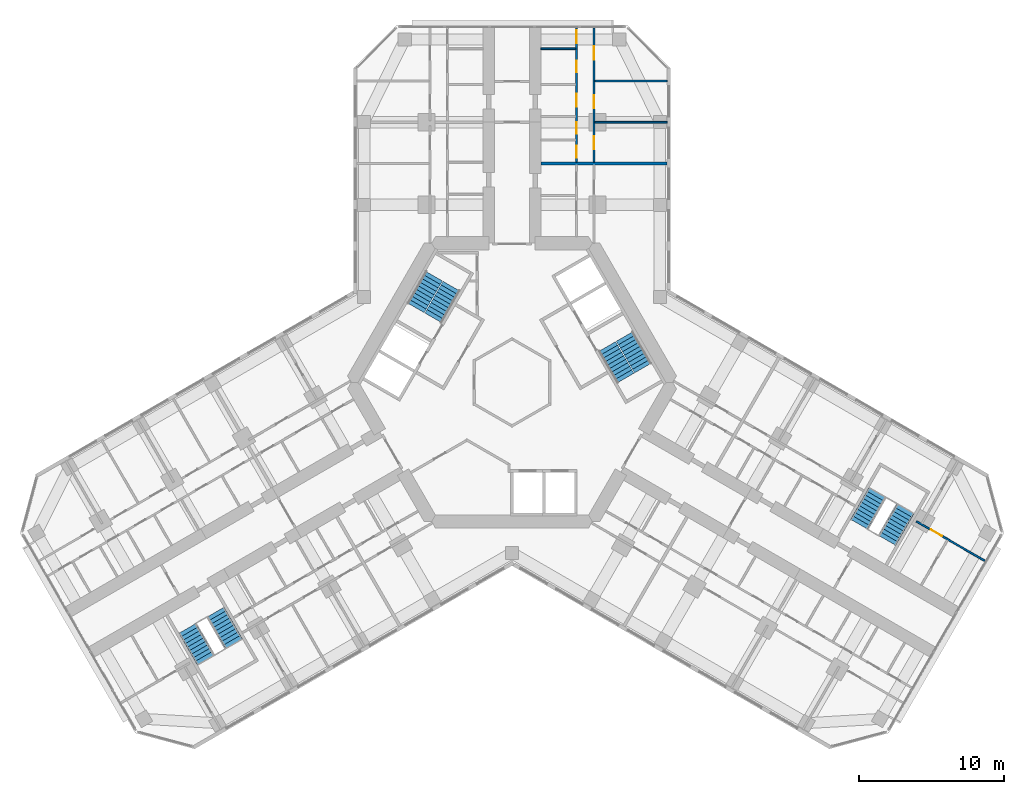
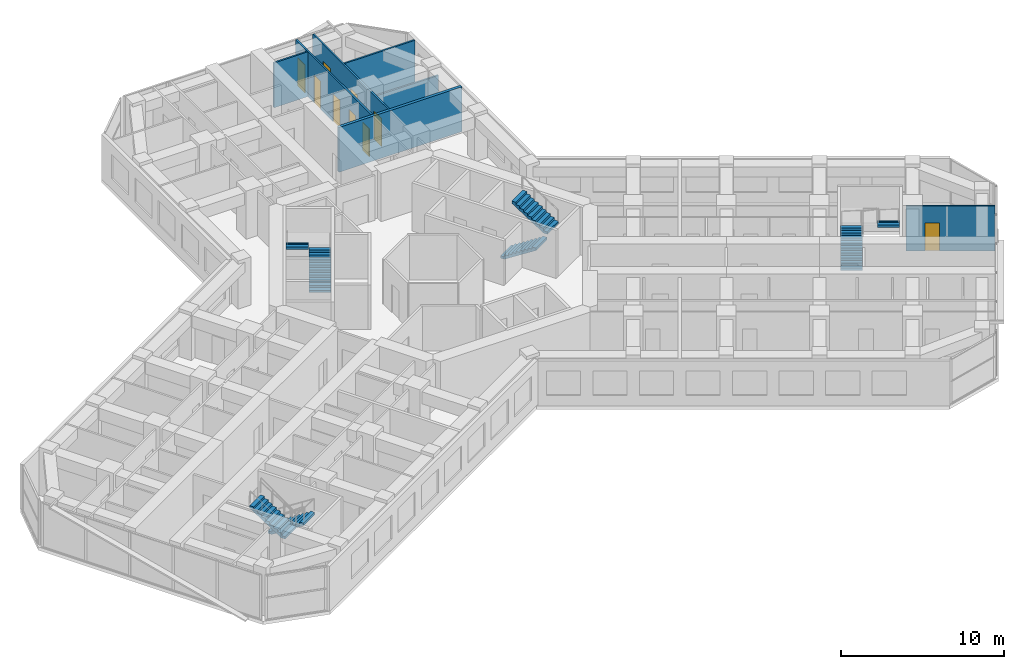
# One storey, part 18 of 19: 9 doors, 8 stair flights, 7 walls, 9 openings, 4 elements without a shape of their own.
"""IFC4 building model written with IfcOpenShell, lengths in metres."""

from ifc_helpers import new_model, si_unit, direction, frame, frame_2d, origin, place, context, subcontext, project, spatial, polyline, rectangle, outline, extrude, material, layer, layer_set, type_object, element, fill, aggregate, save


model = new_model("IFC4")

# Units and contexts
model_context = context("Model", 3, precision=1e-05, world=origin(), true_north=direction((0.0, 1.0)))
body_context = subcontext(model_context, "Body", "Model", "MODEL_VIEW")
ifc_project = project(units=[si_unit("LENGTHUNIT", "METRE"), si_unit("AREAUNIT", "SQUARE_METRE"), si_unit("VOLUMEUNIT", "CUBIC_METRE"), si_unit("PLANEANGLEUNIT", "RADIAN"), si_unit("MASSUNIT", "GRAM", prefix="KILO")], contexts=[model_context])

# Site, building, storey
site_placement = place(None, origin())
site = spatial("IfcSite", under=ifc_project, at=site_placement, CompositionType="ELEMENT")
building_placement = place(site_placement, origin())
building = spatial("IfcBuilding", under=site, at=building_placement, Name="Kosmar Iwan School Tower", CompositionType="ELEMENT")
storey_placement = place(building_placement, frame((0.0, 0.0, 149.0)))
storey = spatial("IfcBuildingStorey", under=building, at=storey_placement, Name="L37", CompositionType="ELEMENT", Elevation=149.0)

# Wall, openings, doors
ifc_material_1 = material(Name="Gypsum board on steel studs", Category="steel")
ifc_layer_1 = layer(ifc_material_1, 0.1201171875)
ifc_layer_set_1 = layer_set([ifc_layer_1], Name="Dwelling partition 120")
wall_type_1 = type_object("IfcWallType", Name="Dwelling partition 120", PredefinedType="PARTITIONING", material=ifc_layer_set_1)
wall_1_placement = place(storey_placement, frame((4.449951171875, 15.199951171875, 0.0), z_axis=(0.0, 0.0, 1.0), x_axis=(0.0, 1.0, 0.0)))
wall_1 = element("IfcWall", 1, at=wall_1_placement, inside=storey, type_object=wall_type_1, Name="Partition L37-AR2-W1", PredefinedType="PARTITIONING", context=body_context, shape_type="SweptSolid", body=[
    extrude(rectangle(XDim=9.2451171875, YDim=0.1201171875, at=frame_2d((4.62255859375, 0.0))), origin(), (0.0, 0.0, 1.0), 3.35009765625),
])
opening_1_placement = place(wall_1_placement, frame((0.3125, 0.0, 0.0)))
opening_1 = element("IfcOpeningElement", 2, at=opening_1_placement, cuts=wall_1, Name="Opening D3", PredefinedType="OPENING", context=body_context, shape_type="SweptSolid", body=[
    extrude(rectangle(XDim=0.800048828125, YDim=2.10009765625, at=frame_2d((0.39990234375, 1.050048828125))), frame((0.0, 0.072021484375, 0.0), z_axis=(0.0, -1.0, 0.0), x_axis=(1.0, 0.0, 0.0)), (0.0, 0.0, 1.0), 0.14404296875),
])
opening_2_placement = place(wall_1_placement, frame((1.9375, 0.0, 0.0)))
opening_2 = element("IfcOpeningElement", 3, at=opening_2_placement, cuts=wall_1, Name="Opening D3", PredefinedType="OPENING", context=body_context, shape_type="SweptSolid", body=[
    extrude(rectangle(XDim=0.800048828125, YDim=2.10009765625, at=frame_2d((0.39990234375, 1.050048828125))), frame((0.0, 0.072021484375, 0.0), z_axis=(0.0, -1.0, 0.0), x_axis=(1.0, 0.0, 0.0)), (0.0, 0.0, 1.0), 0.14404296875),
])
opening_3_placement = place(wall_1_placement, frame((3.800048828125, 0.0, 0.0)))
opening_3 = element("IfcOpeningElement", 4, at=opening_3_placement, cuts=wall_1, Name="Opening D2", PredefinedType="OPENING", context=body_context, shape_type="SweptSolid", body=[
    extrude(rectangle(XDim=0.89990234375, YDim=2.10009765625, at=frame_2d((0.449951171875, 1.050048828125))), frame((0.0, 0.072021484375, 0.0), z_axis=(0.0, -1.0, 0.0), x_axis=(1.0, 0.0, 0.0)), (0.0, 0.0, 1.0), 0.14404296875),
])
opening_4_placement = place(wall_1_placement, frame((6.179931640625, 0.0, 0.0)))
opening_4 = element("IfcOpeningElement", 5, at=opening_4_placement, cuts=wall_1, Name="Opening D3", PredefinedType="OPENING", context=body_context, shape_type="SweptSolid", body=[
    extrude(rectangle(XDim=0.800048828125, YDim=2.10009765625, at=frame_2d((0.39990234375, 1.050048828125))), frame((0.0, 0.072021484375, 0.0), z_axis=(0.0, -1.0, 0.0), x_axis=(1.0, 0.0, 0.0)), (0.0, 0.0, 1.0), 0.14404296875),
])
opening_5_placement = place(wall_1_placement, frame((8.179931640625, 0.0, 0.0)))
opening_5 = element("IfcOpeningElement", 6, at=opening_5_placement, cuts=wall_1, Name="Opening D2", PredefinedType="OPENING", context=body_context, shape_type="SweptSolid", body=[
    extrude(rectangle(XDim=0.89990234375, YDim=2.10009765625, at=frame_2d((0.449951171875, 1.050048828125))), frame((0.0, 0.072021484375, 0.0), z_axis=(0.0, -1.0, 0.0), x_axis=(1.0, 0.0, 0.0)), (0.0, 0.0, 1.0), 0.14404296875),
])
ifc_material_2 = material(Name="Timber door in timber frame", Category="wood")
door_type_1 = type_object("IfcDoorType", Name="Internal door 900x2100", OperationType="SINGLE_SWING_LEFT", PredefinedType="DOOR", material=ifc_material_2)
door_1_placement = place(opening_3_placement, origin())
door_1 = element("IfcDoor", 7, at=door_1_placement, inside=storey, type_object=door_type_1, Name="Entrance hall door L37-AR2-S3", OperationType="SINGLE_SWING_LEFT", OverallHeight=2.10009765625, OverallWidth=0.89990234375, PredefinedType="DOOR", context=body_context, shape_type="SweptSolid", body=[
    extrude(rectangle(XDim=0.89990234375, YDim=2.10009765625, at=frame_2d((0.449951171875, 1.050048828125))), frame((0.0, 0.02490234375, 0.0), z_axis=(0.0, -1.0, 0.0), x_axis=(1.0, 0.0, 0.0)), (0.0, 0.0, 1.0), 0.050048828125),
])
fill(opening_3, door_1)
door_2_placement = place(opening_5_placement, origin())
door_2 = element("IfcDoor", 8, at=door_2_placement, inside=storey, type_object=door_type_1, Name="Pantry door L37-AR2-S5", OperationType="SINGLE_SWING_RIGHT", OverallHeight=2.10009765625, OverallWidth=0.89990234375, PredefinedType="DOOR", context=body_context, shape_type="SweptSolid", body=[
    extrude(rectangle(XDim=0.89990234375, YDim=2.10009765625, at=frame_2d((0.449951171875, 1.050048828125))), frame((0.0, 0.02490234375, 0.0), z_axis=(0.0, -1.0, 0.0), x_axis=(1.0, 0.0, 0.0)), (0.0, 0.0, 1.0), 0.050048828125),
])
fill(opening_5, door_2)
ifc_material_3 = material(Name="Timber door in timber frame", Category="wood")
door_type_2 = type_object("IfcDoorType", Name="Sanitary room door 800x2100", OperationType="SINGLE_SWING_LEFT", PredefinedType="DOOR", material=ifc_material_3)
door_3_placement = place(opening_1_placement, origin())
door_3 = element("IfcDoor", 9, at=door_3_placement, inside=storey, type_object=door_type_2, Name="WC door L37-AR2-S1", OperationType="SINGLE_SWING_LEFT", OverallHeight=2.10009765625, OverallWidth=0.800048828125, PredefinedType="DOOR", context=body_context, shape_type="SweptSolid", body=[
    extrude(rectangle(XDim=0.800048828125, YDim=2.10009765625, at=frame_2d((0.39990234375, 1.050048828125))), frame((0.0, 0.02490234375, 0.0), z_axis=(0.0, -1.0, 0.0), x_axis=(1.0, 0.0, 0.0)), (0.0, 0.0, 1.0), 0.050048828125),
])
fill(opening_1, door_3)
door_4_placement = place(opening_2_placement, origin())
door_4 = element("IfcDoor", 10, at=door_4_placement, inside=storey, type_object=door_type_2, Name="Shower room door L37-AR2-S2", OperationType="SINGLE_SWING_RIGHT", OverallHeight=2.10009765625, OverallWidth=0.800048828125, PredefinedType="DOOR", context=body_context, shape_type="SweptSolid", body=[
    extrude(rectangle(XDim=0.800048828125, YDim=2.10009765625, at=frame_2d((0.39990234375, 1.050048828125))), frame((0.0, 0.02490234375, 0.0), z_axis=(0.0, -1.0, 0.0), x_axis=(1.0, 0.0, 0.0)), (0.0, 0.0, 1.0), 0.050048828125),
])
fill(opening_2, door_4)
door_5_placement = place(opening_4_placement, origin())
door_5 = element("IfcDoor", 11, at=door_5_placement, inside=storey, type_object=door_type_2, Name="Bathroom door L37-AR2-S4", OperationType="SINGLE_SWING_RIGHT", OverallHeight=2.10009765625, OverallWidth=0.800048828125, PredefinedType="DOOR", context=body_context, shape_type="SweptSolid", body=[
    extrude(rectangle(XDim=0.800048828125, YDim=2.10009765625, at=frame_2d((0.39990234375, 1.050048828125))), frame((0.0, 0.02490234375, 0.0), z_axis=(0.0, -1.0, 0.0), x_axis=(1.0, 0.0, 0.0)), (0.0, 0.0, 1.0), 0.050048828125),
])
fill(opening_4, door_5)

wall_2_placement = place(storey_placement, frame((5.64990234375, 15.199951171875, 0.0), z_axis=(0.0, 0.0, 1.0), x_axis=(0.0, 1.0, 0.0)))
wall_2 = element("IfcWall", 12, at=wall_2_placement, inside=storey, type_object=wall_type_1, Name="Partition L37-AR2-W2", PredefinedType="PARTITIONING", context=body_context, shape_type="SweptSolid", body=[
    extrude(rectangle(XDim=9.2451171875, YDim=0.1201171875, at=frame_2d((4.62255859375, 0.0))), origin(), (0.0, 0.0, 1.0), 3.35009765625),
])
opening_6_placement = place(wall_2_placement, frame((0.875, 0.0, 0.0)))
opening_6 = element("IfcOpeningElement", 13, at=opening_6_placement, cuts=wall_2, Name="Opening D2", PredefinedType="OPENING", context=body_context, shape_type="SweptSolid", body=[
    extrude(rectangle(XDim=0.89990234375, YDim=2.10009765625, at=frame_2d((0.449951171875, 1.050048828125))), frame((0.0, 0.072021484375, 0.0), z_axis=(0.0, -1.0, 0.0), x_axis=(1.0, 0.0, 0.0)), (0.0, 0.0, 1.0), 0.14404296875),
])
opening_7_placement = place(wall_2_placement, frame((3.72509765625, 0.0, 0.0)))
opening_7 = element("IfcOpeningElement", 14, at=opening_7_placement, cuts=wall_2, Name="Opening D2", PredefinedType="OPENING", context=body_context, shape_type="SweptSolid", body=[
    extrude(rectangle(XDim=0.89990234375, YDim=2.10009765625, at=frame_2d((0.449951171875, 1.050048828125))), frame((0.0, 0.072021484375, 0.0), z_axis=(0.0, -1.0, 0.0), x_axis=(1.0, 0.0, 0.0)), (0.0, 0.0, 1.0), 0.14404296875),
])
opening_8_placement = place(wall_2_placement, frame((7.074951171875, 0.0, 0.0)))
opening_8 = element("IfcOpeningElement", 15, at=opening_8_placement, cuts=wall_2, Name="Opening D2", PredefinedType="OPENING", context=body_context, shape_type="SweptSolid", body=[
    extrude(rectangle(XDim=0.89990234375, YDim=2.10009765625, at=frame_2d((0.449951171875, 1.050048828125))), frame((0.0, 0.072021484375, 0.0), z_axis=(0.0, -1.0, 0.0), x_axis=(1.0, 0.0, 0.0)), (0.0, 0.0, 1.0), 0.14404296875),
])
door_6_placement = place(opening_6_placement, origin())
door_6 = element("IfcDoor", 16, at=door_6_placement, inside=storey, type_object=door_type_1, Name="Family room and kitchen door L37-AR2-F1", OperationType="SINGLE_SWING_LEFT", OverallHeight=2.10009765625, OverallWidth=0.89990234375, PredefinedType="DOOR", context=body_context, shape_type="SweptSolid", body=[
    extrude(rectangle(XDim=0.89990234375, YDim=2.10009765625, at=frame_2d((0.449951171875, 1.050048828125))), frame((0.0, 0.02490234375, 0.0), z_axis=(0.0, -1.0, 0.0), x_axis=(1.0, 0.0, 0.0)), (0.0, 0.0, 1.0), 0.050048828125),
])
fill(opening_6, door_6)
door_7_placement = place(opening_7_placement, origin())
door_7 = element("IfcDoor", 17, at=door_7_placement, inside=storey, type_object=door_type_1, Name="Bedroom 1 door L37-AR2-F2", OperationType="SINGLE_SWING_LEFT", OverallHeight=2.10009765625, OverallWidth=0.89990234375, PredefinedType="DOOR", context=body_context, shape_type="SweptSolid", body=[
    extrude(rectangle(XDim=0.89990234375, YDim=2.10009765625, at=frame_2d((0.449951171875, 1.050048828125))), frame((0.0, 0.02490234375, 0.0), z_axis=(0.0, -1.0, 0.0), x_axis=(1.0, 0.0, 0.0)), (0.0, 0.0, 1.0), 0.050048828125),
])
fill(opening_7, door_7)
door_8_placement = place(opening_8_placement, origin())
door_8 = element("IfcDoor", 18, at=door_8_placement, inside=storey, type_object=door_type_1, Name="Bedroom 2 door L37-AR2-F3", OperationType="SINGLE_SWING_RIGHT", OverallHeight=2.10009765625, OverallWidth=0.89990234375, PredefinedType="DOOR", context=body_context, shape_type="SweptSolid", body=[
    extrude(rectangle(XDim=0.89990234375, YDim=2.10009765625, at=frame_2d((0.449951171875, 1.050048828125))), frame((0.0, 0.02490234375, 0.0), z_axis=(0.0, -1.0, 0.0), x_axis=(1.0, 0.0, 0.0)), (0.0, 0.0, 1.0), 0.050048828125),
])
fill(opening_8, door_8)

# Walls
wall_3_placement = place(storey_placement, frame((5.7099609375, 17.949951171875, 0.0), z_axis=(0.0, 0.0, 1.0), x_axis=(1.0, 0.0, 0.0)))
element("IfcWall", 19, at=wall_3_placement, inside=storey, type_object=wall_type_1, Name="Partition L37-AR2-X1", PredefinedType="PARTITIONING", context=body_context, shape_type="SweptSolid", body=[
    extrude(rectangle(XDim=4.989990234375, YDim=0.1201171875, at=frame_2d((2.4951171875, 0.0))), origin(), (0.0, 0.0, 1.0), 2.449951171875),
])
wall_4_placement = place(storey_placement, frame((5.7099609375, 20.800048828125, 0.0), z_axis=(0.0, 0.0, 1.0), x_axis=(1.0, 0.0, 0.0)))
element("IfcWall", 20, at=wall_4_placement, inside=storey, type_object=wall_type_1, Name="Partition L37-AR2-X2", PredefinedType="PARTITIONING", context=body_context, shape_type="SweptSolid", body=[
    extrude(rectangle(XDim=4.989990234375, YDim=0.1201171875, at=frame_2d((2.4951171875, 0.0))), origin(), (0.0, 0.0, 1.0), 3.35009765625),
])
wall_5_placement = place(storey_placement, frame((2.0, 23.010009765625, 0.0), z_axis=(0.0, 0.0, 1.0), x_axis=(1.0, 0.0, 0.0)))
element("IfcWall", 21, at=wall_5_placement, inside=storey, type_object=wall_type_1, Name="Partition L37-AR2-Y4", PredefinedType="PARTITIONING", context=body_context, shape_type="SweptSolid", body=[
    extrude(rectangle(XDim=2.389892578125, YDim=0.1201171875, at=frame_2d((1.19482421875, 0.0))), origin(), (0.0, 0.0, 1.0), 3.35009765625),
])

# Wall, opening, door
wall_6_placement = place(storey_placement, frame((27.896484375, -9.58203125, 0.0), z_axis=(0.0, 0.0, 1.0), x_axis=(0.866035508231, -0.499982498177, 0.0)))
wall_6 = element("IfcWall", 22, at=wall_6_placement, inside=storey, type_object=wall_type_1, Name="Partition L37-CL2-TW", PredefinedType="PARTITIONING", context=body_context, shape_type="SweptSolid", body=[
    extrude(rectangle(XDim=5.445068359375, YDim=0.1201171875, at=frame_2d((2.72265625, 0.0))), origin(), (0.0, 0.0, 1.0), 3.35009765625),
])
opening_9_placement = place(wall_6_placement, frame((1.14990234375, 0.0, 0.0)))
opening_9 = element("IfcOpeningElement", 23, at=opening_9_placement, cuts=wall_6, Name="Opening D2", PredefinedType="OPENING", context=body_context, shape_type="SweptSolid", body=[
    extrude(rectangle(XDim=0.89990234375, YDim=2.10009765625, at=frame_2d((0.449951171875, 1.050048828125))), frame((0.0, 0.072021484375, 0.0), z_axis=(0.0, -1.0, 0.0), x_axis=(1.0, 0.0, 0.0)), (0.0, 0.0, 1.0), 0.14404296875),
])
door_9_placement = place(opening_9_placement, origin())
door_9 = element("IfcDoor", 24, at=door_9_placement, inside=storey, type_object=door_type_1, Name="Dressing room door L37-CL2-T3", OperationType="SINGLE_SWING_LEFT", OverallHeight=2.10009765625, OverallWidth=0.89990234375, PredefinedType="DOOR", context=body_context, shape_type="SweptSolid", body=[
    extrude(rectangle(XDim=0.89990234375, YDim=2.10009765625, at=frame_2d((0.449951171875, 1.050048828125))), frame((0.0, 0.02490234375, 0.0), z_axis=(0.0, -1.0, 0.0), x_axis=(1.0, 0.0, 0.0)), (0.0, 0.0, 1.0), 0.050048828125),
])
fill(opening_9, door_9)

# Wall
ifc_material_4 = material(Name="Concrete block masonry", Category="masonry")
ifc_layer_2 = layer(ifc_material_4, 0.199951171875)
ifc_layer_set_2 = layer_set([ifc_layer_2], Name="Party wall 200")
wall_type_2 = type_object("IfcWallType", Name="Party wall 200", PredefinedType="PARTITIONING", material=ifc_layer_set_2)
wall_7_placement = place(storey_placement, frame((2.0, 15.10009765625, 0.0), z_axis=(0.0, 0.0, 1.0), x_axis=(1.0, 0.0, 0.0)))
element("IfcWall", 25, at=wall_7_placement, inside=storey, type_object=wall_type_2, Name="Partition L37-AR2-PW", PredefinedType="PARTITIONING", context=body_context, shape_type="SweptSolid", body=[
    extrude(rectangle(XDim=8.699951171875, YDim=0.199951171875, at=frame_2d((4.35009765625, 0.0))), origin(), (0.0, 0.0, 1.0), 3.35009765625),
])

# Stair, stair flights
ifc_material_5 = material(Name="Concrete C35/45", Category="concrete")
stair_type_1 = type_object("IfcStairType", Name="Escape stair 3600", PredefinedType="HALF_TURN_STAIR", material=ifc_material_5)
stair_1_placement = place(storey_placement, origin())
stair_1 = element("IfcStair", 26, at=stair_1_placement, inside=storey, type_object=stair_type_1, Name="Stair WS2 L37", PredefinedType="HALF_TURN_STAIR")
ifc_material_6 = material(Name="Concrete C35/45", Category="concrete")
stair_flight_type_1 = type_object("IfcStairFlightType", Name="Escape stair flight 1350", PredefinedType="STRAIGHT", material=ifc_material_6)
stair_flight_1_placement = place(storey_placement, frame((-20.44189453125, -15.843505859375, 0.0), z_axis=(0.0, 0.0, 1.0), x_axis=(0.5, -0.866025403784, 0.0)))
stair_flight_1 = element("IfcStairFlight", 27, at=stair_flight_1_placement, type_object=stair_flight_type_1, Name="WS2 flight 1", NumberOfRisers=10, NumberOfTreads=9, PredefinedType="STRAIGHT", RiserHeight=0.18, TreadLength=0.28, context=body_context, shape_type="SweptSolid", body=[
    extrude(outline(polyline([(0.0, 0.0), (0.0, 0.179931640625), (0.280029296875, 0.179931640625), (0.280029296875, 0.360107421875), (0.56005859375, 0.360107421875), (0.56005859375, 0.5400390625), (0.840087890625, 0.5400390625), (0.840087890625, 0.719970703125), (1.1201171875, 0.719970703125), (1.1201171875, 0.89990234375), (1.39990234375, 0.89990234375), (1.39990234375, 1.080078125), (1.679931640625, 1.080078125), (1.679931640625, 1.260009765625), (1.9599609375, 1.260009765625), (1.9599609375, 1.43994140625), (2.239990234375, 1.43994140625), (2.239990234375, 1.6201171875), (2.52001953125, 1.6201171875), (2.52001953125, 1.800048828125), (2.52001953125, 1.44189453125), (0.277099609375, 0.0), (0.0, 0.0)])), frame((0.0, 0.675048828125, 0.0), z_axis=(0.0, -1.0, 0.0), x_axis=(1.0, 0.0, 0.0)), (0.0, 0.0, 1.0), 1.35009765625),
])
stair_flight_2_placement = place(storey_placement, frame((-21.13037109375, -19.15087890625, 1.800048828125), z_axis=(0.0, 0.0, 1.0), x_axis=(-0.5, 0.866025403784, 0.0)))
stair_flight_2 = element("IfcStairFlight", 28, at=stair_flight_2_placement, type_object=stair_flight_type_1, Name="WS2 flight 2", NumberOfRisers=10, NumberOfTreads=9, PredefinedType="STRAIGHT", RiserHeight=0.18, TreadLength=0.28, context=body_context, shape_type="SweptSolid", body=[
    extrude(outline(polyline([(0.0, 0.0), (0.0, 0.179931640625), (0.280029296875, 0.179931640625), (0.280029296875, 0.360107421875), (0.56005859375, 0.360107421875), (0.56005859375, 0.5400390625), (0.840087890625, 0.5400390625), (0.840087890625, 0.719970703125), (1.1201171875, 0.719970703125), (1.1201171875, 0.89990234375), (1.39990234375, 0.89990234375), (1.39990234375, 1.080078125), (1.679931640625, 1.080078125), (1.679931640625, 1.260009765625), (1.9599609375, 1.260009765625), (1.9599609375, 1.43994140625), (2.239990234375, 1.43994140625), (2.239990234375, 1.6201171875), (2.52001953125, 1.6201171875), (2.52001953125, 1.800048828125), (2.52001953125, 1.44189453125), (0.277099609375, 0.0), (0.0, 0.0)])), frame((0.0, 0.675048828125, 0.0), z_axis=(0.0, -1.0, 0.0), x_axis=(1.0, 0.0, 0.0)), (0.0, 0.0, 1.0), 1.35009765625),
])
aggregate(stair_1, [stair_flight_1, stair_flight_2])

stair_2_placement = place(storey_placement, origin())
stair_2 = element("IfcStair", 29, at=stair_2_placement, inside=storey, type_object=stair_type_1, Name="Stair WS3 L37", PredefinedType="HALF_TURN_STAIR")
stair_flight_3_placement = place(storey_placement, frame((23.94189453125, -9.781494140625, 0.0), z_axis=(0.0, 0.0, 1.0), x_axis=(0.5, 0.866025403784, 0.0)))
stair_flight_3 = element("IfcStairFlight", 30, at=stair_flight_3_placement, type_object=stair_flight_type_1, Name="WS3 flight 1", NumberOfRisers=10, NumberOfTreads=9, PredefinedType="STRAIGHT", RiserHeight=0.18, TreadLength=0.28, context=body_context, shape_type="SweptSolid", body=[
    extrude(outline(polyline([(0.0, 0.0), (0.0, 0.179931640625), (0.280029296875, 0.179931640625), (0.280029296875, 0.360107421875), (0.56005859375, 0.360107421875), (0.56005859375, 0.5400390625), (0.840087890625, 0.5400390625), (0.840087890625, 0.719970703125), (1.1201171875, 0.719970703125), (1.1201171875, 0.89990234375), (1.39990234375, 0.89990234375), (1.39990234375, 1.080078125), (1.679931640625, 1.080078125), (1.679931640625, 1.260009765625), (1.9599609375, 1.260009765625), (1.9599609375, 1.43994140625), (2.239990234375, 1.43994140625), (2.239990234375, 1.6201171875), (2.52001953125, 1.6201171875), (2.52001953125, 1.800048828125), (2.52001953125, 1.44189453125), (0.277099609375, 0.0), (0.0, 0.0)])), frame((0.0, 0.675048828125, 0.0), z_axis=(0.0, -1.0, 0.0), x_axis=(1.0, 0.0, 0.0)), (0.0, 0.0, 1.0), 1.35009765625),
])
stair_flight_4_placement = place(storey_placement, frame((27.150390625, -8.72412109375, 1.800048828125), z_axis=(0.0, 0.0, 1.0), x_axis=(-0.5, -0.866025403784, 0.0)))
stair_flight_4 = element("IfcStairFlight", 31, at=stair_flight_4_placement, type_object=stair_flight_type_1, Name="WS3 flight 2", NumberOfRisers=10, NumberOfTreads=9, PredefinedType="STRAIGHT", RiserHeight=0.18, TreadLength=0.28, context=body_context, shape_type="SweptSolid", body=[
    extrude(outline(polyline([(0.0, 0.0), (0.0, 0.179931640625), (0.280029296875, 0.179931640625), (0.280029296875, 0.360107421875), (0.56005859375, 0.360107421875), (0.56005859375, 0.5400390625), (0.840087890625, 0.5400390625), (0.840087890625, 0.719970703125), (1.1201171875, 0.719970703125), (1.1201171875, 0.89990234375), (1.39990234375, 0.89990234375), (1.39990234375, 1.080078125), (1.679931640625, 1.080078125), (1.679931640625, 1.260009765625), (1.9599609375, 1.260009765625), (1.9599609375, 1.43994140625), (2.239990234375, 1.43994140625), (2.239990234375, 1.6201171875), (2.52001953125, 1.6201171875), (2.52001953125, 1.800048828125), (2.52001953125, 1.44189453125), (0.277099609375, 0.0), (0.0, 0.0)])), frame((0.0, 0.675048828125, 0.0), z_axis=(0.0, -1.0, 0.0), x_axis=(1.0, 0.0, 0.0)), (0.0, 0.0, 1.0), 1.35009765625),
])
aggregate(stair_2, [stair_flight_3, stair_flight_4])

ifc_material_7 = material(Name="Concrete C35/45", Category="concrete")
stair_type_2 = type_object("IfcStairType", Name="Core stair 2750", PredefinedType="HALF_TURN_STAIR", material=ifc_material_7)
stair_3_placement = place(storey_placement, origin())
stair_3 = element("IfcStair", 32, at=stair_3_placement, inside=storey, type_object=stair_type_2, Name="Stair ST2 L37", PredefinedType="HALF_TURN_STAIR")
ifc_material_8 = material(Name="Concrete C35/45", Category="concrete")
stair_flight_type_2 = type_object("IfcStairFlightType", Name="Stair flight 1350", PredefinedType="STRAIGHT", material=ifc_material_8)
stair_flight_5_placement = place(storey_placement, frame((-5.42724609375, 4.44970703125, 0.0), z_axis=(0.0, 0.0, 1.0), x_axis=(0.5, 0.866025403784, 0.0)))
stair_flight_5 = element("IfcStairFlight", 33, at=stair_flight_5_placement, type_object=stair_flight_type_2, Name="ST2 flight 1", NumberOfRisers=10, NumberOfTreads=9, PredefinedType="STRAIGHT", RiserHeight=0.18, TreadLength=0.28, context=body_context, shape_type="SweptSolid", body=[
    extrude(outline(polyline([(0.0, 0.0), (0.0, 0.179931640625), (0.280029296875, 0.179931640625), (0.280029296875, 0.360107421875), (0.56005859375, 0.360107421875), (0.56005859375, 0.5400390625), (0.840087890625, 0.5400390625), (0.840087890625, 0.719970703125), (1.1201171875, 0.719970703125), (1.1201171875, 0.89990234375), (1.39990234375, 0.89990234375), (1.39990234375, 1.080078125), (1.679931640625, 1.080078125), (1.679931640625, 1.260009765625), (1.9599609375, 1.260009765625), (1.9599609375, 1.43994140625), (2.239990234375, 1.43994140625), (2.239990234375, 1.6201171875), (2.52001953125, 1.6201171875), (2.52001953125, 1.800048828125), (2.52001953125, 1.44189453125), (0.277099609375, 0.0), (0.0, 0.0)])), frame((0.0, 0.675048828125, 0.0), z_axis=(0.0, -1.0, 0.0), x_axis=(1.0, 0.0, 0.0)), (0.0, 0.0, 1.0), 1.35009765625),
])
stair_flight_6_placement = place(storey_placement, frame((-5.379638671875, 7.33203125, 1.800048828125), z_axis=(0.0, 0.0, 1.0), x_axis=(-0.5, -0.866025403784, 0.0)))
stair_flight_6 = element("IfcStairFlight", 34, at=stair_flight_6_placement, type_object=stair_flight_type_2, Name="ST2 flight 2", NumberOfRisers=10, NumberOfTreads=9, PredefinedType="STRAIGHT", RiserHeight=0.18, TreadLength=0.28, context=body_context, shape_type="SweptSolid", body=[
    extrude(outline(polyline([(0.0, 0.0), (0.0, 0.179931640625), (0.280029296875, 0.179931640625), (0.280029296875, 0.360107421875), (0.56005859375, 0.360107421875), (0.56005859375, 0.5400390625), (0.840087890625, 0.5400390625), (0.840087890625, 0.719970703125), (1.1201171875, 0.719970703125), (1.1201171875, 0.89990234375), (1.39990234375, 0.89990234375), (1.39990234375, 1.080078125), (1.679931640625, 1.080078125), (1.679931640625, 1.260009765625), (1.9599609375, 1.260009765625), (1.9599609375, 1.43994140625), (2.239990234375, 1.43994140625), (2.239990234375, 1.6201171875), (2.52001953125, 1.6201171875), (2.52001953125, 1.800048828125), (2.52001953125, 1.44189453125), (0.277099609375, 0.0), (0.0, 0.0)])), frame((0.0, 0.675048828125, 0.0), z_axis=(0.0, -1.0, 0.0), x_axis=(1.0, 0.0, 0.0)), (0.0, 0.0, 1.0), 1.35009765625),
])
aggregate(stair_3, [stair_flight_5, stair_flight_6])

stair_4_placement = place(storey_placement, origin())
stair_4 = element("IfcStair", 35, at=stair_4_placement, inside=storey, type_object=stair_type_2, Name="Stair ST1 L37", PredefinedType="HALF_TURN_STAIR")
stair_flight_7_placement = place(storey_placement, frame((6.567138671875, 2.475341796875, 0.0), z_axis=(0.0, 0.0, 1.0), x_axis=(0.5, -0.866025403784, 0.0)))
stair_flight_7 = element("IfcStairFlight", 36, at=stair_flight_7_placement, type_object=stair_flight_type_2, Name="ST1 flight 1", NumberOfRisers=10, NumberOfTreads=9, PredefinedType="STRAIGHT", RiserHeight=0.18, TreadLength=0.28, context=body_context, shape_type="SweptSolid", body=[
    extrude(outline(polyline([(0.0, 0.0), (0.0, 0.179931640625), (0.280029296875, 0.179931640625), (0.280029296875, 0.360107421875), (0.56005859375, 0.360107421875), (0.56005859375, 0.5400390625), (0.840087890625, 0.5400390625), (0.840087890625, 0.719970703125), (1.1201171875, 0.719970703125), (1.1201171875, 0.89990234375), (1.39990234375, 0.89990234375), (1.39990234375, 1.080078125), (1.679931640625, 1.080078125), (1.679931640625, 1.260009765625), (1.9599609375, 1.260009765625), (1.9599609375, 1.43994140625), (2.239990234375, 1.43994140625), (2.239990234375, 1.6201171875), (2.52001953125, 1.6201171875), (2.52001953125, 1.800048828125), (2.52001953125, 1.44189453125), (0.277099609375, 0.0), (0.0, 0.0)])), frame((0.0, 0.675048828125, 0.0), z_axis=(0.0, -1.0, 0.0), x_axis=(1.0, 0.0, 0.0)), (0.0, 0.0, 1.0), 1.35009765625),
])
stair_flight_8_placement = place(storey_placement, frame((9.03955078125, 0.992919921875, 1.800048828125), z_axis=(0.0, 0.0, 1.0), x_axis=(-0.5, 0.866025403784, 0.0)))
stair_flight_8 = element("IfcStairFlight", 37, at=stair_flight_8_placement, type_object=stair_flight_type_2, Name="ST1 flight 2", NumberOfRisers=10, NumberOfTreads=9, PredefinedType="STRAIGHT", RiserHeight=0.18, TreadLength=0.28, context=body_context, shape_type="SweptSolid", body=[
    extrude(outline(polyline([(0.0, 0.0), (0.0, 0.179931640625), (0.280029296875, 0.179931640625), (0.280029296875, 0.360107421875), (0.56005859375, 0.360107421875), (0.56005859375, 0.5400390625), (0.840087890625, 0.5400390625), (0.840087890625, 0.719970703125), (1.1201171875, 0.719970703125), (1.1201171875, 0.89990234375), (1.39990234375, 0.89990234375), (1.39990234375, 1.080078125), (1.679931640625, 1.080078125), (1.679931640625, 1.260009765625), (1.9599609375, 1.260009765625), (1.9599609375, 1.43994140625), (2.239990234375, 1.43994140625), (2.239990234375, 1.6201171875), (2.52001953125, 1.6201171875), (2.52001953125, 1.800048828125), (2.52001953125, 1.44189453125), (0.277099609375, 0.0), (0.0, 0.0)])), frame((0.0, 0.675048828125, 0.0), z_axis=(0.0, -1.0, 0.0), x_axis=(1.0, 0.0, 0.0)), (0.0, 0.0, 1.0), 1.35009765625),
])
aggregate(stair_4, [stair_flight_7, stair_flight_8])

save(model, "model.ifc")
